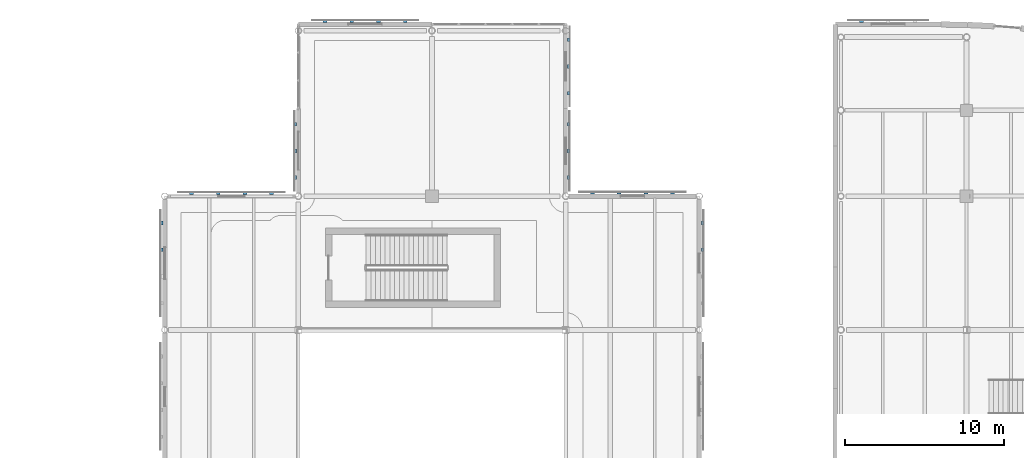
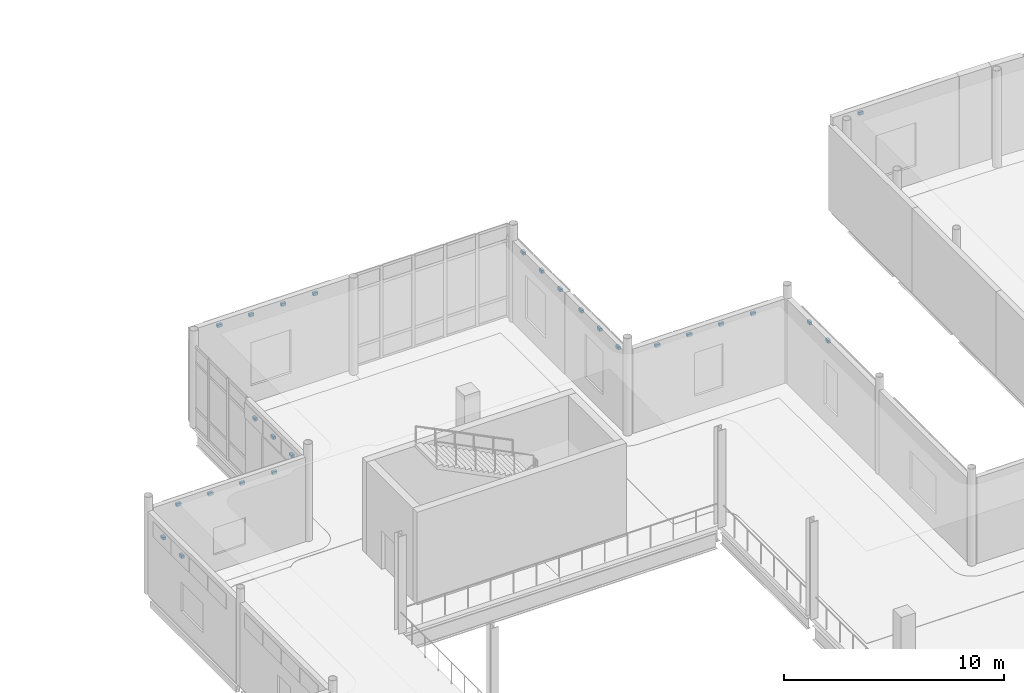
# One storey, part 82 of 110: 26 discrete accessories.
"""IFC4 building model written with IfcOpenShell, lengths in metres."""

from ifc_helpers import new_model, si_unit, direction, frame, origin, origin_2d, place, context, subcontext, project, spatial, rectangle, extrude, material, type_object, element, save


model = new_model("IFC4")

# Units and contexts
model_context = context("Model", 3, precision=1e-05, world=origin(), true_north=direction((0.0, 1.0)))
body_context = subcontext(model_context, "Body", "Model", "MODEL_VIEW")
ifc_project = project(units=[si_unit("LENGTHUNIT", "METRE"), si_unit("AREAUNIT", "SQUARE_METRE"), si_unit("VOLUMEUNIT", "CUBIC_METRE"), si_unit("PLANEANGLEUNIT", "RADIAN"), si_unit("MASSUNIT", "GRAM", prefix="KILO"), si_unit("THERMODYNAMICTEMPERATUREUNIT", "KELVIN")], contexts=[model_context])

# Site, building, storey
site_placement = place(None, origin())
site = spatial("IfcSite", under=ifc_project, at=site_placement, CompositionType="ELEMENT")
building_placement = place(site_placement, origin())
building = spatial("IfcBuilding", under=site, at=building_placement, Name="Lustrewick Department Store", CompositionType="ELEMENT")
storey_placement = place(building_placement, frame((0.0, 0.0, 6.0)))
storey = spatial("IfcBuildingStorey", under=building, at=storey_placement, Name="L02", CompositionType="ELEMENT", Elevation=6.0)

# Discrete accessories
ifc_material = material(Name="Anodized filigree aluminium 6061-T6", Category="aluminium")
discrete_accessory_type = type_object("IfcDiscreteAccessoryType", Name="BRK-FIL", PredefinedType="BRACKET", material=ifc_material)
for number, where, z_axis, x_axis, name in (
    (1, (101.0, 97.4326171875, 4.1171875), (0.0, 0.0, 1.0), (0.0, 1.0, 0.0), "L02 Filigree Stand-Off Bracket 0115"),
    (2, (101.0, 99.11279296875, 4.1171875), (0.0, 0.0, 1.0), (0.0, 1.0, 0.0), "L02 Filigree Stand-Off Bracket 0116"),
    (3, (99.1201171875, 101.0, 4.1171875), (0.0, 0.0, 1.0), (-1.0, 0.0, 0.0), "L02 Filigree Stand-Off Bracket 0117"),
    (4, (97.43994140625, 101.0, 4.1171875), (0.0, 0.0, 1.0), (-1.0, 0.0, 0.0), "L02 Filigree Stand-Off Bracket 0118"),
    (5, (95.760009765625, 101.0, 4.1171875), (0.0, 0.0, 1.0), (-1.0, 0.0, 0.0), "L02 Filigree Stand-Off Bracket 0119"),
    (6, (94.080078125, 101.0, 4.1171875), (0.0, 0.0, 1.0), (-1.0, 0.0, 0.0), "L02 Filigree Stand-Off Bracket 0120"),
    (7, (92.580078125, 101.968505859375, 3.95703125), (0.0, 0.0, 1.0), (0.0, 1.0, 0.0), "L02 Filigree Stand-Off Bracket 0121"),
    (8, (92.580078125, 103.6484375, 3.95703125), (0.0, 0.0, 1.0), (0.0, 1.0, 0.0), "L02 Filigree Stand-Off Bracket 0122"),
    (9, (92.580078125, 105.32861328125, 3.95703125), (0.0, 0.0, 1.0), (0.0, 1.0, 0.0), "L02 Filigree Stand-Off Bracket 0123"),
    (10, (92.590087890625, 107.26953125, 3.95703125), (0.0, 0.0, 1.0), (0.0, 1.0, 0.0), "L02 Filigree Stand-Off Bracket 0124"),
    (11, (92.590087890625, 108.949462890625, 3.95703125), (0.0, 0.0, 1.0), (0.0, 1.0, 0.0), "L02 Filigree Stand-Off Bracket 0125"),
    (12, (92.590087890625, 110.62939453125, 3.95703125), (0.0, 0.0, 1.0), (0.0, 1.0, 0.0), "L02 Filigree Stand-Off Bracket 0126"),
    (13, (82.320068359375, 111.800048828125, 4.56494140625), (0.0, 0.0, 1.0), (-1.0, 0.0, 0.0), "L02 Filigree Stand-Off Bracket 0127"),
    (14, (80.639892578125, 111.800048828125, 4.56494140625), (0.0, 0.0, 1.0), (-1.0, 0.0, 0.0), "L02 Filigree Stand-Off Bracket 0128"),
    (15, (78.9599609375, 111.800048828125, 4.56494140625), (0.0, 0.0, 1.0), (-1.0, 0.0, 0.0), "L02 Filigree Stand-Off Bracket 0129"),
    (16, (77.280029296875, 111.800048828125, 4.56494140625), (0.0, 0.0, 1.0), (-1.0, 0.0, 0.0), "L02 Filigree Stand-Off Bracket 0130"),
    (17, (75.419921875, 105.32861328125, 3.95703125), (0.0, 0.0, 1.0), (0.0, -1.0, 0.0), "L02 Filigree Stand-Off Bracket 0131"),
    (18, (75.419921875, 103.6484375, 3.95703125), (0.0, 0.0, 1.0), (0.0, -1.0, 0.0), "L02 Filigree Stand-Off Bracket 0132"),
    (19, (75.419921875, 101.968505859375, 3.95703125), (0.0, 0.0, 1.0), (0.0, -1.0, 0.0), "L02 Filigree Stand-Off Bracket 0133"),
    (20, (73.919921875, 100.97998046875, 4.1171875), (0.0, 0.0, 1.0), (-1.0, 0.0, 0.0), "L02 Filigree Stand-Off Bracket 0134"),
    (21, (72.239990234375, 100.97998046875, 4.1171875), (0.0, 0.0, 1.0), (-1.0, 0.0, 0.0), "L02 Filigree Stand-Off Bracket 0135"),
    (22, (70.56005859375, 100.97998046875, 4.1171875), (0.0, 0.0, 1.0), (-1.0, 0.0, 0.0), "L02 Filigree Stand-Off Bracket 0136"),
    (23, (68.8798828125, 100.97998046875, 4.1171875), (0.0, 0.0, 1.0), (-1.0, 0.0, 0.0), "L02 Filigree Stand-Off Bracket 0137"),
    (24, (67.010009765625, 99.11279296875, 4.05126953125), (0.0, 0.0, 1.0), (0.0, -1.0, 0.0), "L02 Filigree Stand-Off Bracket 0138"),
    (25, (67.010009765625, 97.4326171875, 4.05126953125), (0.0, 0.0, 1.0), (0.0, -1.0, 0.0), "L02 Filigree Stand-Off Bracket 0139"),
    (26, (110.9951171875, 111.800048828125, 4.56494140625), (0.0, 0.0, 1.0), (-1.0, 0.0, 0.0), "L02 Filigree Stand-Off Bracket 0204"),
):
    element("IfcDiscreteAccessory", number, at=place(storey_placement, frame(where, z_axis=z_axis, x_axis=x_axis)), inside=storey, type_object=discrete_accessory_type, Name=name, PredefinedType="BRACKET", context=body_context, shape_type="SweptSolid", body=[
        extrude(rectangle(XDim=0.239990234375, YDim=0.139892578125, at=origin_2d()), origin(), (0.0, 0.0, 1.0), 0.159912109375),
    ])

save(model, "model.ifc")
